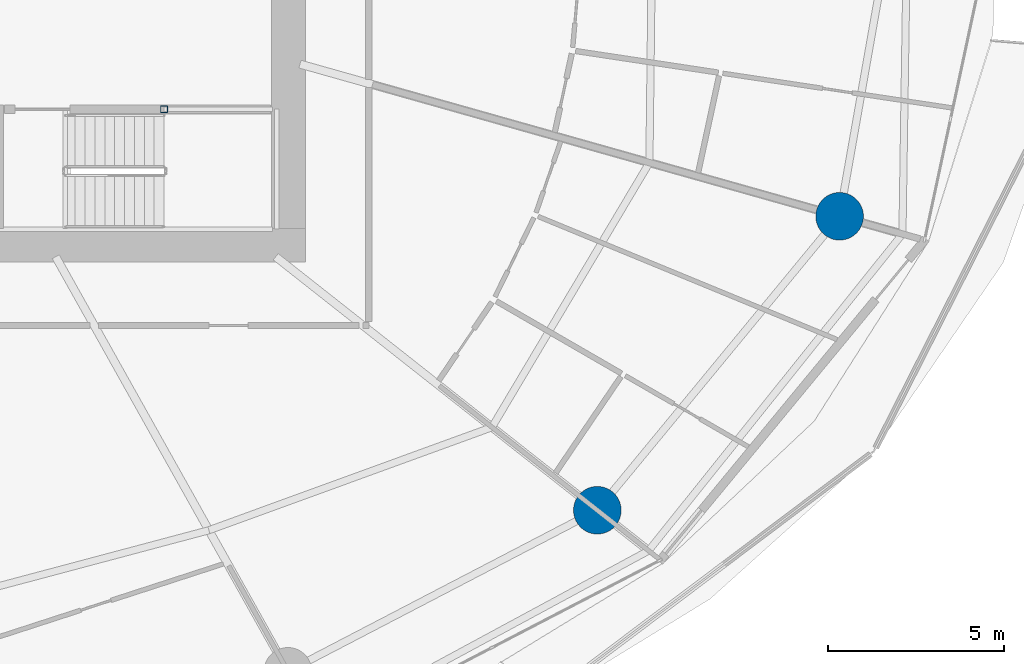
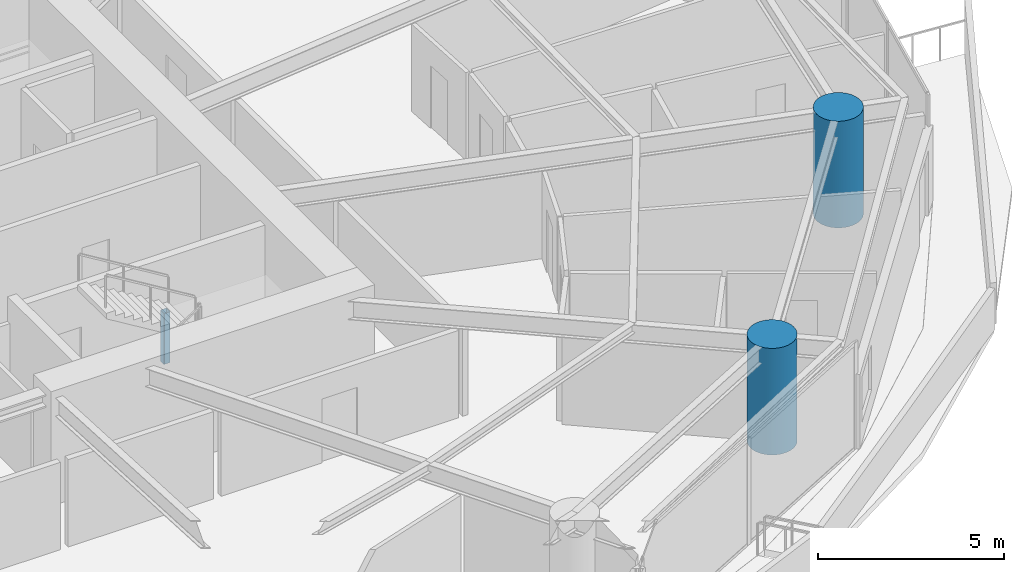
# One storey, part 3 of 31: 3 columns.
"""IFC4 building model written with IfcOpenShell, lengths in metres."""

from ifc_helpers import new_model, si_unit, direction, frame, origin, origin_2d, place, context, subcontext, project, spatial, hollow_rectangle, circle, extrude, material, material_profile, profile_set, type_object, element, save


model = new_model("IFC4")

# Units and contexts
model_context = context("Model", 3, precision=1e-05, world=origin(), true_north=direction((0.0, 1.0)))
body_context = subcontext(model_context, "Body", "Model", "MODEL_VIEW")
ifc_project = project(units=[si_unit("LENGTHUNIT", "METRE"), si_unit("AREAUNIT", "SQUARE_METRE"), si_unit("VOLUMEUNIT", "CUBIC_METRE"), si_unit("PLANEANGLEUNIT", "RADIAN"), si_unit("MASSUNIT", "GRAM", prefix="KILO")], contexts=[model_context])

# Site, building, storey
site_placement = place(None, origin())
site = spatial("IfcSite", under=ifc_project, at=site_placement, CompositionType="ELEMENT")
building_placement = place(site_placement, origin())
building = spatial("IfcBuilding", under=site, at=building_placement, Name="Kazma Halo Residences", CompositionType="ELEMENT")
storey_placement = place(building_placement, frame((0.0, 0.0, 52.64990234375)))
storey = spatial("IfcBuildingStorey", under=building, at=storey_placement, Name="L12", CompositionType="ELEMENT", Elevation=52.64990234375)

# Columns
ifc_material_1 = material(Name="Steel S355", Category="steel")
ifc_material_profile_1 = material_profile(ifc_material_1, hollow_rectangle(XDim=0.199951171875, YDim=0.199951171875, WallThickness=0.010009765625, InnerFilletRadius=0.010009765625, OuterFilletRadius=0.02001953125, at=origin_2d()), Name="SHS200x200x10")
ifc_profile_set_1 = profile_set([ifc_material_profile_1], Name="Steel S355")
column_type_1 = type_object("IfcColumnType", Name="COL-LP-SHS200", PredefinedType="COLUMN", material=ifc_profile_set_1)
column_placement = place(storey_placement, frame((56.0, 37.3798828125, 0.0), z_axis=(0.0, 0.0, 1.0), x_axis=(1.0, 0.0, 0.0)))
element("IfcColumn", 1, at=column_placement, inside=storey, type_object=column_type_1, Name="L12 ST-03 landing pilaster 1", PredefinedType="COLUMN", context=body_context, shape_type="SweptSolid", body=[
    extrude(hollow_rectangle(XDim=0.199951171875, YDim=0.199951171875, WallThickness=0.010009765625, InnerFilletRadius=0.010009765625, OuterFilletRadius=0.02001953125, at=origin_2d()), origin(), (0.0, 0.0, 1.0), 1.670166015625),
])
ifc_material_2 = material(Name="Concrete C80/95", Category="concrete")
ifc_material_profile_2 = material_profile(ifc_material_2, circle(Radius=0.675048828125, at=origin_2d()), Name="CIRC1350")
ifc_profile_set_2 = profile_set([ifc_material_profile_2], Name="Concrete C80/95")
column_type_2 = type_object("IfcColumnType", Name="COL-PERIM-1350", PredefinedType="COLUMN", material=ifc_profile_set_2)
for number, where, z_axis, x_axis, name in (
    (2, (68.27587890625, 26.015869140625, 0.0), (0.0, 0.0, 1.0), (1.0, 0.0, 0.0), "L12 perimeter ring column P14"),
    (3, (75.140869140625, 34.345458984375, 0.0), (0.0, 0.0, 1.0), (1.0, 0.0, 0.0), "L12 perimeter ring column P15"),
):
    element("IfcColumn", number, at=place(storey_placement, frame(where, z_axis=z_axis, x_axis=x_axis)), inside=storey, type_object=column_type_2, Name=name, PredefinedType="COLUMN", context=body_context, shape_type="SweptSolid", body=[
        extrude(circle(Radius=0.675048828125, at=origin_2d()), origin(), (0.0, 0.0, 1.0), 3.5),
    ])

save(model, "model.ifc")
